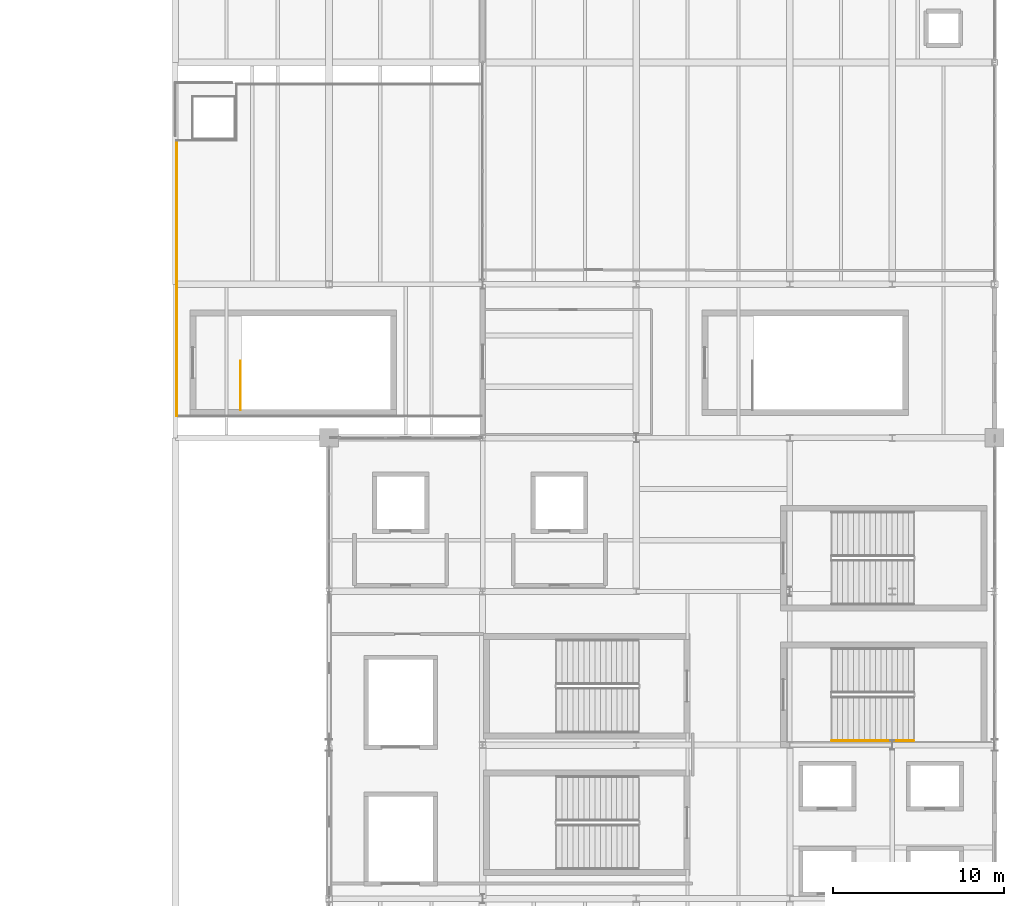
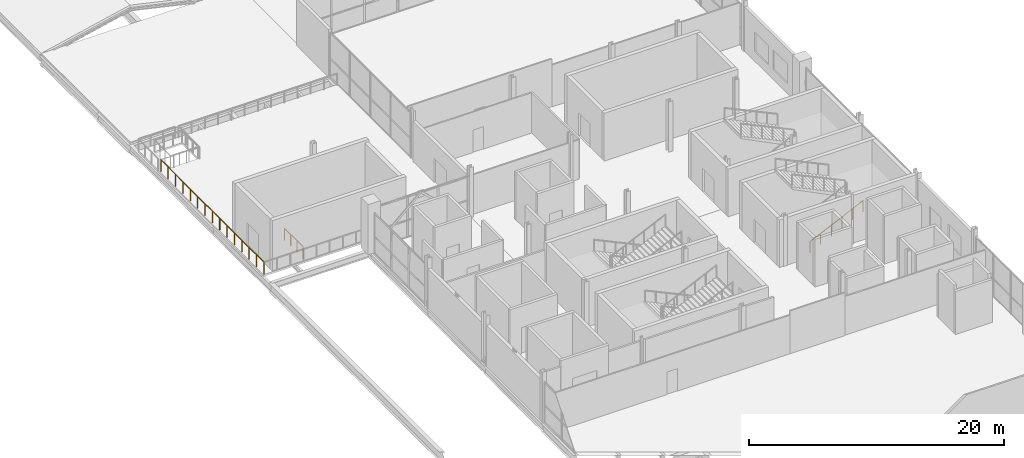
# One storey, part 47 of 50: 3 railings.
"""IFC4 building model written with IfcOpenShell, lengths in metres."""

from ifc_helpers import new_model, si_unit, direction, frame, origin, origin_2d, place, context, subcontext, project, spatial, circle, extrude, material, type_object, element, save


model = new_model("IFC4")

# Units and contexts
model_context = context("Model", 3, precision=1e-05, world=origin(), true_north=direction((0.0, 1.0)))
body_context = subcontext(model_context, "Body", "Model", "MODEL_VIEW")
ifc_project = project(units=[si_unit("LENGTHUNIT", "METRE"), si_unit("AREAUNIT", "SQUARE_METRE"), si_unit("VOLUMEUNIT", "CUBIC_METRE"), si_unit("PLANEANGLEUNIT", "RADIAN"), si_unit("MASSUNIT", "GRAM", prefix="KILO")], contexts=[model_context])

# Site, building, storey
site_placement = place(None, origin())
site = spatial("IfcSite", under=ifc_project, at=site_placement, CompositionType="ELEMENT")
building_placement = place(site_placement, origin())
building = spatial("IfcBuilding", under=site, at=building_placement, Name="Qamarlyn Nura Convention Centre", CompositionType="ELEMENT")
storey_placement = place(building_placement, frame((0.0, 0.0, 20.39990234375)))
storey = spatial("IfcBuildingStorey", under=building, at=storey_placement, Name="L04", CompositionType="ELEMENT", Elevation=20.39990234375)

# Railings
ifc_material = material(Name="Marine Grade 316 stainless steel", Category="steel")
railing_type_1 = type_object("IfcRailingType", Name="GRD-STAIR-112", PredefinedType="BALUSTRADE", material=ifc_material)
railing_1_placement = place(storey_placement, frame((147.81005859375, 82.64990234375, 0.0)))
element("IfcRailing", 1, at=railing_1_placement, inside=storey, type_object=railing_type_1, Name="L04 ST-15 top well guard 1", PredefinedType="BALUSTRADE", context=body_context, shape_type="SweptSolid", body=[
    extrude(circle(Radius=0.02392578125, at=origin_2d()), frame((0.0, 0.0, 1.09619140625), z_axis=(0.0, 1.0, 0.0), x_axis=(-1.0, 0.0, 0.0)), (0.0, 0.0, 1.0), 2.840087890625),
    extrude(circle(Radius=0.02099609375, at=origin_2d()), origin(), (0.0, 0.0, 1.0), 1.070068359375),
    extrude(circle(Radius=0.02099609375, at=origin_2d()), frame((0.0, 0.94677734375, 0.0)), (0.0, 0.0, 1.0), 1.070068359375),
    extrude(circle(Radius=0.02099609375, at=origin_2d()), frame((0.0, 1.893310546875, 0.0)), (0.0, 0.0, 1.0), 1.070068359375),
    extrude(circle(Radius=0.02099609375, at=origin_2d()), frame((0.0, 2.840087890625, 0.0)), (0.0, 0.0, 1.0), 1.070068359375),
])
railing_type_2 = type_object("IfcRailingType", Name="GRD-TERR-115", PredefinedType="BALUSTRADE", material=ifc_material)
railing_2_placement = place(storey_placement, frame((144.080078125, 82.280029296875, 0.0)))
element("IfcRailing", 2, at=railing_2_placement, inside=storey, type_object=railing_type_2, Name="L04 Sky-Court Terrace perimeter guard 2", PredefinedType="BALUSTRADE", context=body_context, shape_type="SweptSolid", body=[
    extrude(circle(Radius=0.02392578125, at=origin_2d()), frame((0.0, 0.0, 1.1259765625), z_axis=(0.0, 1.0, 0.0), x_axis=(-1.0, 0.0, 0.0)), (0.0, 0.0, 1.0), 16.139892578125),
    extrude(circle(Radius=0.02099609375, at=origin_2d()), origin(), (0.0, 0.0, 1.0), 1.099853515625),
    extrude(circle(Radius=0.02099609375, at=origin_2d()), frame((0.0, 1.15283203125, 0.0)), (0.0, 0.0, 1.0), 1.099853515625),
    extrude(circle(Radius=0.02099609375, at=origin_2d()), frame((0.0, 2.3056640625, 0.0)), (0.0, 0.0, 1.0), 1.099853515625),
    extrude(circle(Radius=0.02099609375, at=origin_2d()), frame((0.0, 3.45849609375, 0.0)), (0.0, 0.0, 1.0), 1.099853515625),
    extrude(circle(Radius=0.02099609375, at=origin_2d()), frame((0.0, 4.611328125, 0.0)), (0.0, 0.0, 1.0), 1.099853515625),
    extrude(circle(Radius=0.02099609375, at=origin_2d()), frame((0.0, 5.76416015625, 0.0)), (0.0, 0.0, 1.0), 1.099853515625),
    extrude(circle(Radius=0.02099609375, at=origin_2d()), frame((0.0, 6.9169921875, 0.0)), (0.0, 0.0, 1.0), 1.099853515625),
    extrude(circle(Radius=0.02099609375, at=origin_2d()), frame((0.0, 8.06982421875, 0.0)), (0.0, 0.0, 1.0), 1.099853515625),
    extrude(circle(Radius=0.02099609375, at=origin_2d()), frame((0.0, 9.222900390625, 0.0)), (0.0, 0.0, 1.0), 1.099853515625),
    extrude(circle(Radius=0.02099609375, at=origin_2d()), frame((0.0, 10.375732421875, 0.0)), (0.0, 0.0, 1.0), 1.099853515625),
    extrude(circle(Radius=0.02099609375, at=origin_2d()), frame((0.0, 11.528564453125, 0.0)), (0.0, 0.0, 1.0), 1.099853515625),
    extrude(circle(Radius=0.02099609375, at=origin_2d()), frame((0.0, 12.681396484375, 0.0)), (0.0, 0.0, 1.0), 1.099853515625),
    extrude(circle(Radius=0.02099609375, at=origin_2d()), frame((0.0, 13.834228515625, 0.0)), (0.0, 0.0, 1.0), 1.099853515625),
    extrude(circle(Radius=0.02099609375, at=origin_2d()), frame((0.0, 14.987060546875, 0.0)), (0.0, 0.0, 1.0), 1.099853515625),
    extrude(circle(Radius=0.02099609375, at=origin_2d()), frame((0.0, 16.139892578125, 0.0)), (0.0, 0.0, 1.0), 1.099853515625),
])
railing_type_3 = type_object("IfcRailingType", Name="HRL-STAIR-090", PredefinedType="HANDRAIL", material=ifc_material)
railing_3_placement = place(storey_placement, frame((182.4599609375, 63.25, 0.302490234375)))
element("IfcRailing", 3, at=railing_3_placement, inside=storey, type_object=railing_type_3, Name="L04 ST-13 stair handrail 1", PredefinedType="HANDRAIL", context=body_context, shape_type="SweptSolid", body=[
    extrude(circle(Radius=0.02392578125, at=origin_2d()), frame((0.0, 0.0, 0.88818359375), z_axis=(0.90546059521, 0.0, 0.424430336476), x_axis=(0.0, 1.0, 0.0)), (0.0, 0.0, 1.0), 5.30126953125),
    extrude(circle(Radius=0.02099609375, at=origin_2d()), frame((0.0, 0.0, -0.155029296875)), (0.0, 0.0, 1.0), 1.01708984375),
    extrude(circle(Radius=0.02099609375, at=origin_2d()), frame((0.9599609375, 0.0, 0.294921875)), (0.0, 0.0, 1.0), 1.01708984375),
    extrude(circle(Radius=0.02099609375, at=origin_2d()), frame((1.919921875, 0.0, 0.744873046875)), (0.0, 0.0, 1.0), 1.01708984375),
    extrude(circle(Radius=0.02099609375, at=origin_2d()), frame((2.880126953125, 0.0, 1.195068359375)), (0.0, 0.0, 1.0), 1.01708984375),
    extrude(circle(Radius=0.02099609375, at=origin_2d()), frame((3.840087890625, 0.0, 1.64501953125)), (0.0, 0.0, 1.0), 1.01708984375),
    extrude(circle(Radius=0.02099609375, at=origin_2d()), frame((4.800048828125, 0.0, 2.094970703125)), (0.0, 0.0, 1.0), 1.01708984375),
])

save(model, "model.ifc")
